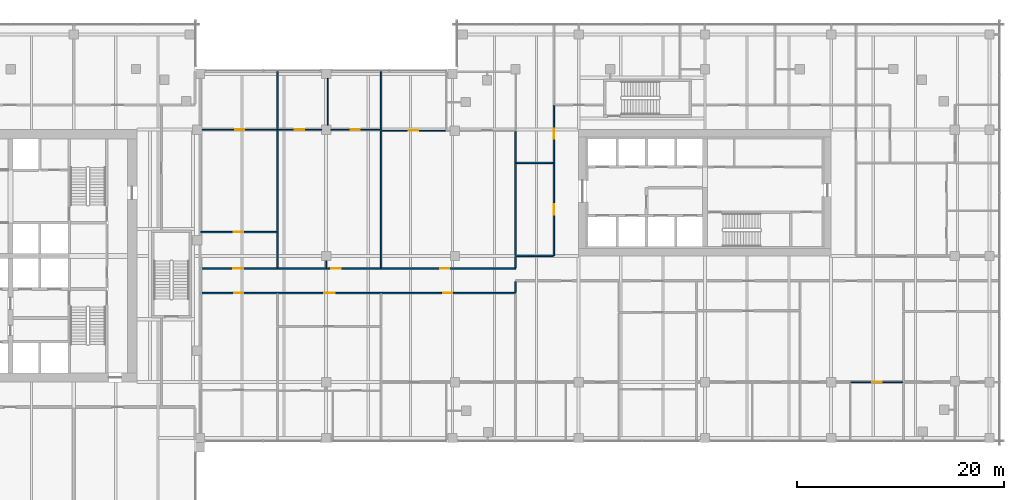
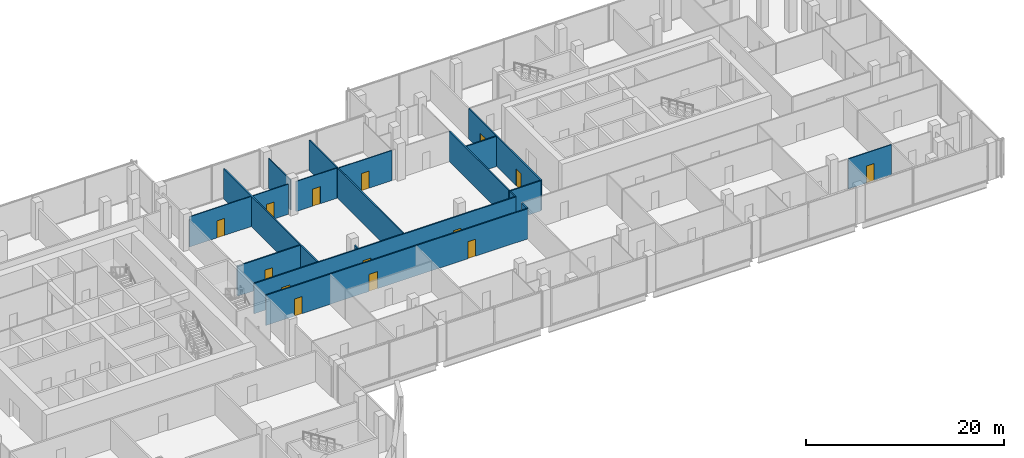
# One storey, part 26 of 33: 19 walls, 14 doors, 14 openings.
"""IFC4 building model written with IfcOpenShell, lengths in metres."""

from ifc_helpers import new_model, si_unit, direction, frame, frame_2d, origin, place, context, subcontext, project, spatial, rectangle, extrude, source, transform, mapped, material, layer, layer_set, type_object, element, fill, save


model = new_model("IFC4")

# Units and contexts
model_context = context("Model", 3, precision=1e-05, world=origin(), true_north=direction((0.0, 1.0)))
body_context = subcontext(model_context, "Body", "Model", "MODEL_VIEW")
ifc_project = project(units=[si_unit("LENGTHUNIT", "METRE"), si_unit("AREAUNIT", "SQUARE_METRE"), si_unit("VOLUMEUNIT", "CUBIC_METRE"), si_unit("PLANEANGLEUNIT", "RADIAN"), si_unit("MASSUNIT", "GRAM", prefix="KILO")], contexts=[model_context])

# Site, building, storey
site_placement = place(None, origin())
site = spatial("IfcSite", under=ifc_project, at=site_placement, CompositionType="ELEMENT")
building_placement = place(site_placement, origin())
building = spatial("IfcBuilding", under=site, at=building_placement, Name="Tessera Gate Towers", CompositionType="ELEMENT")
storey_placement = place(building_placement, frame((0.0, 0.0, 7.199951171875)))
storey = spatial("IfcBuildingStorey", under=building, at=storey_placement, Name="L01", CompositionType="ELEMENT", Elevation=7.199951171875)

# Wall, openings, doors
ifc_material_1 = material(Name="Gypsum board on steel studs, mineral wool", Category="steel")
ifc_layer_1 = layer(ifc_material_1, 0.14990234375)
ifc_layer_set_1 = layer_set([ifc_layer_1], Name="CORRIDOR WALL 150")
wall_type_1 = type_object("IfcWallType", Name="CORRIDOR WALL 150", PredefinedType="PARTITIONING", material=ifc_layer_set_1)
wall_1_placement = place(storey_placement, frame((91.5, 33.0, 0.0), z_axis=(0.0, 0.0, 1.0), x_axis=(-1.0, 0.0, 0.0)))
wall_1 = element("IfcWall", 1, at=wall_1_placement, inside=storey, type_object=wall_type_1, Name="PODIUM-L01-PW-063", PredefinedType="PARTITIONING", context=body_context, shape_type="SweptSolid", body=[
    extrude(rectangle(XDim=30.5, YDim=0.14990234375, at=frame_2d((15.25, 0.0))), origin(), (0.0, 0.0, 1.0), 3.715087890625),
])
shared_shape_1 = source(origin(), body_context, "Body", "SweptSolid", [
    extrude(rectangle(XDim=0.89990234375, YDim=2.10009765625, at=frame_2d((0.449951171875, 1.050048828125))), frame((0.0, 0.0849609375, 0.0), z_axis=(0.0, -1.0, 0.0), x_axis=(1.0, 0.0, 0.0)), (0.0, 0.0, 1.0), 0.169921875),
])
opening_1_placement = place(wall_1_placement, frame((26.300048828125, 0.0, 0.0)))
opening_1 = element("IfcOpeningElement", 2, at=opening_1_placement, cuts=wall_1, Name="Opening D890FD60-P02-02", PredefinedType="OPENING", context=body_context, shape_type="MappedRepresentation", body=[
    mapped(shared_shape_1, transform((0.0, 0.0, 0.0), scale=1.0)),
])
shared_shape_2 = source(origin(), body_context, "Body", "SweptSolid", [
    extrude(rectangle(XDim=1.0, YDim=2.10009765625, at=frame_2d((0.5, 1.050048828125))), frame((0.0, 0.0849609375, 0.0), z_axis=(0.0, -1.0, 0.0), x_axis=(1.0, 0.0, 0.0)), (0.0, 0.0, 1.0), 0.169921875),
])
opening_2_placement = place(wall_1_placement, frame((17.5, 0.0, 0.0)))
opening_2 = element("IfcOpeningElement", 3, at=opening_2_placement, cuts=wall_1, Name="Opening D2100FD60-P02-07", PredefinedType="OPENING", context=body_context, shape_type="MappedRepresentation", body=[
    mapped(shared_shape_2, transform((0.0, 0.0, 0.0), scale=1.0)),
])
opening_3_placement = place(wall_1_placement, frame((6.10009765625, 0.0, 0.0)))
opening_3 = element("IfcOpeningElement", 4, at=opening_3_placement, cuts=wall_1, Name="Opening D890FD60-P02-09", PredefinedType="OPENING", context=body_context, shape_type="MappedRepresentation", body=[
    mapped(shared_shape_1, transform((0.0, 0.0, 0.0), scale=1.0)),
])
ifc_material_2 = material(Name="Timber door leaf in steel frame", Category="steel")
door_type_1 = type_object("IfcDoorType", Name="CORRIDOR DOOR 900 FD60", OperationType="NOTDEFINED", PredefinedType="DOOR", material=ifc_material_2)
shared_shape_3 = source(origin(), body_context, "Body", "SweptSolid", [
    extrude(rectangle(XDim=0.89990234375, YDim=2.10009765625, at=frame_2d((0.449951171875, 1.050048828125))), frame((0.0, 0.02490234375, 0.0), z_axis=(0.0, -1.0, 0.0), x_axis=(1.0, 0.0, 0.0)), (0.0, 0.0, 1.0), 0.050048828125),
])
door_1_placement = place(opening_1_placement, origin())
door_1 = element("IfcDoor", 5, at=door_1_placement, inside=storey, type_object=door_type_1, Name="PODIUM-L01-PD-029", OperationType="SINGLE_SWING_RIGHT", OverallHeight=2.10009765625, OverallWidth=0.89990234375, PredefinedType="DOOR", context=body_context, shape_type="MappedRepresentation", body=[
    mapped(shared_shape_3, transform((0.0, 0.0, 0.0), scale=1.0)),
])
fill(opening_1, door_1)
door_2_placement = place(opening_3_placement, origin())
door_2 = element("IfcDoor", 6, at=door_2_placement, inside=storey, type_object=door_type_1, Name="PODIUM-L01-PD-055", OperationType="SINGLE_SWING_RIGHT", OverallHeight=2.10009765625, OverallWidth=0.89990234375, PredefinedType="DOOR", context=body_context, shape_type="MappedRepresentation", body=[
    mapped(shared_shape_3, transform((0.0, 0.0, 0.0), scale=1.0)),
])
fill(opening_3, door_2)
ifc_material_3 = material(Name="Timber door leaf in steel frame", Category="steel")
door_type_2 = type_object("IfcDoorType", Name="TENANCY ENTRANCE DOOR 1000 FD60", OperationType="NOTDEFINED", PredefinedType="DOOR", material=ifc_material_3)
shared_shape_4 = source(origin(), body_context, "Body", "SweptSolid", [
    extrude(rectangle(XDim=1.0, YDim=2.10009765625, at=frame_2d((0.5, 1.050048828125))), frame((0.0, 0.02490234375, 0.0), z_axis=(0.0, -1.0, 0.0), x_axis=(1.0, 0.0, 0.0)), (0.0, 0.0, 1.0), 0.050048828125),
])
door_3_placement = place(opening_2_placement, origin())
door_3 = element("IfcDoor", 7, at=door_3_placement, inside=storey, type_object=door_type_2, Name="PODIUM-L01-PD-041", OperationType="SINGLE_SWING_RIGHT", OverallHeight=2.10009765625, OverallWidth=1.0, PredefinedType="DOOR", context=body_context, shape_type="MappedRepresentation", body=[
    mapped(shared_shape_4, transform((0.0, 0.0, 0.0), scale=1.0)),
])
fill(opening_2, door_3)

# Wall
wall_2_placement = place(storey_placement, frame((91.5, 33.075927734375, 0.0), z_axis=(0.0, 0.0, 1.0), x_axis=(0.0, 1.0, 0.0)))
element("IfcWall", 8, at=wall_2_placement, inside=storey, type_object=wall_type_1, Name="PODIUM-L01-PW-065", PredefinedType="PARTITIONING", context=body_context, shape_type="SweptSolid", body=[
    extrude(rectangle(XDim=1.048095703125, YDim=0.14990234375, at=frame_2d((0.52392578125, 0.0))), origin(), (0.0, 0.0, 1.0), 3.715087890625),
])

# Wall, openings, doors
wall_3_placement = place(storey_placement, frame((61.0, 35.39990234375, 0.0), z_axis=(0.0, 0.0, 1.0), x_axis=(1.0, 0.0, 0.0)))
wall_3 = element("IfcWall", 9, at=wall_3_placement, inside=storey, type_object=wall_type_1, Name="PODIUM-L01-PW-067", PredefinedType="PARTITIONING", context=body_context, shape_type="SweptSolid", body=[
    extrude(rectangle(XDim=30.5, YDim=0.14990234375, at=frame_2d((15.25, 0.0))), origin(), (0.0, 0.0, 1.0), 3.715087890625),
])
opening_4_placement = place(wall_3_placement, frame((3.199951171875, 0.0, 0.0)))
opening_4 = element("IfcOpeningElement", 10, at=opening_4_placement, cuts=wall_3, Name="Opening D2100FD60-P02-05", PredefinedType="OPENING", context=body_context, shape_type="MappedRepresentation", body=[
    mapped(shared_shape_2, transform((0.0, 0.0, 0.0), scale=1.0)),
])
opening_5_placement = place(wall_3_placement, frame((12.699951171875, 0.0, 0.0)))
opening_5 = element("IfcOpeningElement", 11, at=opening_5_placement, cuts=wall_3, Name="Opening D890FD60-P02-06", PredefinedType="OPENING", context=body_context, shape_type="MappedRepresentation", body=[
    mapped(shared_shape_1, transform((0.0, 0.0, 0.0), scale=1.0)),
])
opening_6_placement = place(wall_3_placement, frame((23.199951171875, 0.0, 0.0)))
opening_6 = element("IfcOpeningElement", 12, at=opening_6_placement, cuts=wall_3, Name="Opening D890FD60-P02-10", PredefinedType="OPENING", context=body_context, shape_type="MappedRepresentation", body=[
    mapped(shared_shape_1, transform((0.0, 0.0, 0.0), scale=1.0)),
])
door_4_placement = place(opening_5_placement, origin())
door_4 = element("IfcDoor", 13, at=door_4_placement, inside=storey, type_object=door_type_1, Name="PODIUM-L01-PD-042", OperationType="SINGLE_SWING_LEFT", OverallHeight=2.10009765625, OverallWidth=0.89990234375, PredefinedType="DOOR", context=body_context, shape_type="MappedRepresentation", body=[
    mapped(shared_shape_3, transform((0.0, 0.0, 0.0), scale=1.0)),
])
fill(opening_5, door_4)
door_5_placement = place(opening_6_placement, origin())
door_5 = element("IfcDoor", 14, at=door_5_placement, inside=storey, type_object=door_type_1, Name="PODIUM-L01-PD-056", OperationType="SINGLE_SWING_LEFT", OverallHeight=2.10009765625, OverallWidth=0.89990234375, PredefinedType="DOOR", context=body_context, shape_type="MappedRepresentation", body=[
    mapped(shared_shape_3, transform((0.0, 0.0, 0.0), scale=1.0)),
])
fill(opening_6, door_5)
door_6_placement = place(opening_4_placement, origin())
door_6 = element("IfcDoor", 15, at=door_6_placement, inside=storey, type_object=door_type_2, Name="PODIUM-L01-PD-030", OperationType="SINGLE_SWING_LEFT", OverallHeight=2.10009765625, OverallWidth=1.0, PredefinedType="DOOR", context=body_context, shape_type="MappedRepresentation", body=[
    mapped(shared_shape_4, transform((0.0, 0.0, 0.0), scale=1.0)),
])
fill(opening_4, door_6)

# Walls
wall_4_placement = place(storey_placement, frame((91.5, 35.47607421875, 0.0), z_axis=(0.0, 0.0, 1.0), x_axis=(0.0, 1.0, 0.0)))
element("IfcWall", 16, at=wall_4_placement, inside=storey, type_object=wall_type_1, Name="PODIUM-L01-PW-071", PredefinedType="PARTITIONING", context=body_context, shape_type="SweptSolid", body=[
    extrude(rectangle(XDim=1.0478515625, YDim=0.14990234375, at=frame_2d((0.52392578125, 0.0))), origin(), (0.0, 0.0, 1.0), 3.715087890625),
])
wall_5_placement = place(storey_placement, frame((91.5, 36.60009765625, 0.0), z_axis=(0.0, 0.0, 1.0), x_axis=(1.0, 0.0, 0.0)))
element("IfcWall", 17, at=wall_5_placement, inside=storey, type_object=wall_type_1, Name="PODIUM-L01-PW-073", PredefinedType="PARTITIONING", context=body_context, shape_type="SweptSolid", body=[
    extrude(rectangle(XDim=3.6240234375, YDim=0.14990234375, at=frame_2d((1.81201171875, 0.0))), origin(), (0.0, 0.0, 1.0), 3.715087890625),
])

# Wall, openings, doors
wall_6_placement = place(storey_placement, frame((95.199951171875, 36.60009765625, 0.0), z_axis=(0.0, 0.0, 1.0), x_axis=(0.0, 1.0, 0.0)))
wall_6 = element("IfcWall", 18, at=wall_6_placement, inside=storey, type_object=wall_type_1, Name="PODIUM-L01-PW-074", PredefinedType="PARTITIONING", context=body_context, shape_type="SweptSolid", body=[
    extrude(rectangle(XDim=14.599853515625, YDim=0.14990234375, at=frame_2d((7.2998046875, 0.0))), origin(), (0.0, 0.0, 1.0), 3.715087890625),
])
opening_7_placement = place(wall_6_placement, frame((11.301025390625, 0.0, 0.0)))
opening_7 = element("IfcOpeningElement", 19, at=opening_7_placement, cuts=wall_6, Name="Opening D2100FD60-P02-03", PredefinedType="OPENING", context=body_context, shape_type="MappedRepresentation", body=[
    mapped(shared_shape_2, transform((0.0, 0.0, 0.0), scale=1.0)),
])
opening_8_placement = place(wall_6_placement, frame((4.0, 0.0, 0.0)))
opening_8 = element("IfcOpeningElement", 20, at=opening_8_placement, cuts=wall_6, Name="Opening D2100FD60-P02-09", PredefinedType="OPENING", context=body_context, shape_type="MappedRepresentation", body=[
    mapped(shared_shape_2, transform((0.0, 0.0, 0.0), scale=1.0)),
])
door_7_placement = place(opening_7_placement, origin())
door_7 = element("IfcDoor", 21, at=door_7_placement, inside=storey, type_object=door_type_2, Name="PODIUM-L01-PD-019", OperationType="SINGLE_SWING_LEFT", OverallHeight=2.10009765625, OverallWidth=1.0, PredefinedType="DOOR", context=body_context, shape_type="MappedRepresentation", body=[
    mapped(shared_shape_4, transform((0.0, 0.0, 0.0), scale=1.0)),
])
fill(opening_7, door_7)
door_8_placement = place(opening_8_placement, origin())
door_8 = element("IfcDoor", 22, at=door_8_placement, inside=storey, type_object=door_type_2, Name="PODIUM-L01-PD-054", OperationType="SINGLE_SWING_LEFT", OverallHeight=2.10009765625, OverallWidth=1.0, PredefinedType="DOOR", context=body_context, shape_type="MappedRepresentation", body=[
    mapped(shared_shape_4, transform((0.0, 0.0, 0.0), scale=1.0)),
])
fill(opening_8, door_8)

# Wall, opening, door
ifc_material_4 = material(Name="Glass", Category="glass")
ifc_layer_2 = layer(ifc_material_4, 0.10009765625)
ifc_layer_set_2 = layer_set([ifc_layer_2], Name="GLAZED PARTITION 100")
wall_type_2 = type_object("IfcWallType", Name="GLAZED PARTITION 100", PredefinedType="PARTITIONING", material=ifc_layer_set_2)
wall_7_placement = place(storey_placement, frame((128.924072265625, 24.39990234375, 0.0), z_axis=(0.0, 0.0, 1.0), x_axis=(-1.0, 0.0, 0.0)))
wall_7 = element("IfcWall", 23, at=wall_7_placement, inside=storey, type_object=wall_type_2, Name="PODIUM-L01-PW-047", PredefinedType="PARTITIONING", context=body_context, shape_type="SweptSolid", body=[
    extrude(rectangle(XDim=5.042236328125, YDim=0.10009765625, at=frame_2d((2.52099609375, 0.0))), origin(), (0.0, 0.0, 1.0), 3.715087890625),
])
shared_shape_5 = source(origin(), body_context, "Body", "SweptSolid", [
    extrude(rectangle(XDim=0.89990234375, YDim=2.10009765625, at=frame_2d((0.449951171875, 1.050048828125))), frame((0.0, 0.06005859375, 0.0), z_axis=(0.0, -1.0, 0.0), x_axis=(1.0, 0.0, 0.0)), (0.0, 0.0, 1.0), 0.1201171875),
])
opening_9_placement = place(wall_7_placement, frame((2.0419921875, 0.0, 0.0)))
opening_9 = element("IfcOpeningElement", 24, at=opening_9_placement, cuts=wall_7, Name="Opening D690-P02-06", PredefinedType="OPENING", context=body_context, shape_type="MappedRepresentation", body=[
    mapped(shared_shape_5, transform((0.0, 0.0, 0.0), scale=1.0)),
])
ifc_material_5 = material(Name="Glass in aluminium frame", Category="aluminium")
door_type_3 = type_object("IfcDoorType", Name="GLAZED DOOR 900 NOT RATED", OperationType="NOTDEFINED", PredefinedType="DOOR", material=ifc_material_5)
door_9_placement = place(opening_9_placement, origin())
door_9 = element("IfcDoor", 25, at=door_9_placement, inside=storey, type_object=door_type_3, Name="PODIUM-L01-PD-016", OperationType="SINGLE_SWING_RIGHT", OverallHeight=2.10009765625, OverallWidth=0.89990234375, PredefinedType="DOOR", context=body_context, shape_type="MappedRepresentation", body=[
    mapped(shared_shape_3, transform((0.0, 0.0, 0.0), scale=1.0)),
])
fill(opening_9, door_9)

wall_8_placement = place(storey_placement, frame((78.575927734375, 48.7099609375, 0.0), z_axis=(0.0, 0.0, 1.0), x_axis=(1.0, 0.0, 0.0)))
wall_8 = element("IfcWall", 26, at=wall_8_placement, inside=storey, type_object=wall_type_2, Name="PODIUM-L01-PW-096", PredefinedType="PARTITIONING", context=body_context, shape_type="SweptSolid", body=[
    extrude(rectangle(XDim=6.1533203125, YDim=0.10009765625, at=frame_2d((3.07666015625, 0.0))), origin(), (0.0, 0.0, 1.0), 3.715087890625),
])
opening_10_placement = place(wall_8_placement, frame((2.60009765625, 0.0, 0.0)))
opening_10 = element("IfcOpeningElement", 27, at=opening_10_placement, cuts=wall_8, Name="Opening D690-P02-08", PredefinedType="OPENING", context=body_context, shape_type="MappedRepresentation", body=[
    mapped(shared_shape_5, transform((0.0, 0.0, 0.0), scale=1.0)),
])
door_10_placement = place(opening_10_placement, origin())
door_10 = element("IfcDoor", 28, at=door_10_placement, inside=storey, type_object=door_type_3, Name="PODIUM-L01-PD-022", OperationType="SINGLE_SWING_LEFT", OverallHeight=2.10009765625, OverallWidth=0.89990234375, PredefinedType="DOOR", context=body_context, shape_type="MappedRepresentation", body=[
    mapped(shared_shape_3, transform((0.0, 0.0, 0.0), scale=1.0)),
])
fill(opening_10, door_10)

wall_9_placement = place(storey_placement, frame((68.575927734375, 48.800048828125, 0.0), z_axis=(0.0, 0.0, 1.0), x_axis=(1.0, 0.0, 0.0)))
wall_9 = element("IfcWall", 29, at=wall_9_placement, inside=storey, type_object=wall_type_2, Name="PODIUM-L01-PW-102", PredefinedType="PARTITIONING", context=body_context, shape_type="SweptSolid", body=[
    extrude(rectangle(XDim=4.173095703125, YDim=0.10009765625, at=frame_2d((2.08642578125, 0.0))), origin(), (0.0, 0.0, 1.0), 3.715087890625),
])
opening_11_placement = place(wall_9_placement, frame((1.60009765625, 0.0, 0.0)))
opening_11 = element("IfcOpeningElement", 30, at=opening_11_placement, cuts=wall_9, Name="Opening D690-P02-02", PredefinedType="OPENING", context=body_context, shape_type="MappedRepresentation", body=[
    mapped(shared_shape_5, transform((0.0, 0.0, 0.0), scale=1.0)),
])
door_11_placement = place(opening_11_placement, origin())
door_11 = element("IfcDoor", 31, at=door_11_placement, inside=storey, type_object=door_type_3, Name="PODIUM-L01-PD-006", OperationType="SINGLE_SWING_LEFT", OverallHeight=2.10009765625, OverallWidth=0.89990234375, PredefinedType="DOOR", context=body_context, shape_type="MappedRepresentation", body=[
    mapped(shared_shape_3, transform((0.0, 0.0, 0.0), scale=1.0)),
])
fill(opening_11, door_11)

wall_10_placement = place(storey_placement, frame((73.65087890625, 48.800048828125, 0.0), z_axis=(0.0, 0.0, 1.0), x_axis=(1.0, 0.0, 0.0)))
wall_10 = element("IfcWall", 32, at=wall_10_placement, inside=storey, type_object=wall_type_2, Name="PODIUM-L01-PW-103", PredefinedType="PARTITIONING", context=body_context, shape_type="SweptSolid", body=[
    extrude(rectangle(XDim=4.773193359375, YDim=0.10009765625, at=frame_2d((2.38671875, 0.0))), origin(), (0.0, 0.0, 1.0), 3.715087890625),
])
opening_12_placement = place(wall_10_placement, frame((1.89990234375, 0.0, 0.0)))
opening_12 = element("IfcOpeningElement", 33, at=opening_12_placement, cuts=wall_10, Name="Opening D690-P02-05", PredefinedType="OPENING", context=body_context, shape_type="MappedRepresentation", body=[
    mapped(shared_shape_5, transform((0.0, 0.0, 0.0), scale=1.0)),
])
door_12_placement = place(opening_12_placement, origin())
door_12 = element("IfcDoor", 34, at=door_12_placement, inside=storey, type_object=door_type_3, Name="PODIUM-L01-PD-015", OperationType="SINGLE_SWING_LEFT", OverallHeight=2.10009765625, OverallWidth=0.89990234375, PredefinedType="DOOR", context=body_context, shape_type="MappedRepresentation", body=[
    mapped(shared_shape_3, transform((0.0, 0.0, 0.0), scale=1.0)),
])
fill(opening_12, door_12)

# Wall
ifc_material_6 = material(Name="Gypsum board on steel studs", Category="steel")
ifc_layer_3 = layer(ifc_material_6, 0.10009765625)
ifc_layer_set_3 = layer_set([ifc_layer_3], Name="PARTITION 100")
wall_type_3 = type_object("IfcWallType", Name="PARTITION 100", PredefinedType="PARTITIONING", material=ifc_layer_set_3)
wall_11_placement = place(storey_placement, frame((73.199951171875, 36.14990234375, 0.0), z_axis=(0.0, 0.0, 1.0), x_axis=(0.0, -1.0, 0.0)))
element("IfcWall", 35, at=wall_11_placement, inside=storey, type_object=wall_type_3, Name="PODIUM-L01-PW-072", PredefinedType="PARTITIONING", context=body_context, shape_type="SweptSolid", body=[
    extrude(rectangle(XDim=0.6748046875, YDim=0.10009765625, at=frame_2d((0.33740234375, 0.0))), origin(), (0.0, 0.0, 1.0), 3.715087890625),
])

# Wall, opening, door
wall_12_placement = place(storey_placement, frame((61.200927734375, 48.800048828125, 0.0), z_axis=(0.0, 0.0, 1.0), x_axis=(1.0, 0.0, 0.0)))
wall_12 = element("IfcWall", 36, at=wall_12_placement, inside=storey, type_object=wall_type_3, Name="PODIUM-L01-PW-101", PredefinedType="PARTITIONING", context=body_context, shape_type="SweptSolid", body=[
    extrude(rectangle(XDim=7.22314453125, YDim=0.10009765625, at=frame_2d((3.611572265625, 0.0))), origin(), (0.0, 0.0, 1.0), 3.715087890625),
])
opening_13_placement = place(wall_12_placement, frame((3.199951171875, 0.0, 0.0)))
opening_13 = element("IfcOpeningElement", 37, at=opening_13_placement, cuts=wall_12, Name="Opening D190-P02-11", PredefinedType="OPENING", context=body_context, shape_type="MappedRepresentation", body=[
    mapped(shared_shape_5, transform((0.0, 0.0, 0.0), scale=1.0)),
])
ifc_material_7 = material(Name="Timber door leaf in steel frame", Category="steel")
door_type_4 = type_object("IfcDoorType", Name="INTERNAL DOOR 900 NOT RATED", OperationType="NOTDEFINED", PredefinedType="DOOR", material=ifc_material_7)
door_13_placement = place(opening_13_placement, origin())
door_13 = element("IfcDoor", 38, at=door_13_placement, inside=storey, type_object=door_type_4, Name="PODIUM-L01-PD-024", OperationType="SINGLE_SWING_LEFT", OverallHeight=2.10009765625, OverallWidth=0.89990234375, PredefinedType="DOOR", context=body_context, shape_type="MappedRepresentation", body=[
    mapped(shared_shape_3, transform((0.0, 0.0, 0.0), scale=1.0)),
])
fill(opening_13, door_13)

# Walls
wall_13_placement = place(storey_placement, frame((73.3310546875, 49.2509765625, 0.0), z_axis=(0.0, 0.0, 1.0), x_axis=(0.0, 1.0, 0.0)))
element("IfcWall", 39, at=wall_13_placement, inside=storey, type_object=wall_type_3, Name="PODIUM-L01-PW-107", PredefinedType="PARTITIONING", context=body_context, shape_type="SweptSolid", body=[
    extrude(rectangle(XDim=4.498046875, YDim=0.10009765625, at=frame_2d((2.2490234375, 0.0))), origin(), (0.0, 0.0, 1.0), 3.715087890625),
])
ifc_material_8 = material(Name="Gypsum board on steel studs, mineral wool", Category="steel")
ifc_layer_4 = layer(ifc_material_8, 0.14990234375)
ifc_layer_set_4 = layer_set([ifc_layer_4], Name="TENANCY WALL 150")
wall_type_4 = type_object("IfcWallType", Name="TENANCY WALL 150", PredefinedType="PARTITIONING", material=ifc_layer_set_4)
wall_14_placement = place(storey_placement, frame((68.5, 35.47607421875, 0.0), z_axis=(0.0, 0.0, 1.0), x_axis=(0.0, 1.0, 0.0)))
element("IfcWall", 40, at=wall_14_placement, inside=storey, type_object=wall_type_4, Name="PODIUM-L01-PW-069", PredefinedType="PARTITIONING", context=body_context, shape_type="SweptSolid", body=[
    extrude(rectangle(XDim=18.923828125, YDim=0.14990234375, at=frame_2d((9.4619140625, 0.0))), origin(), (0.0, 0.0, 1.0), 3.715087890625),
])
wall_15_placement = place(storey_placement, frame((78.5, 35.47607421875, 0.0), z_axis=(0.0, 0.0, 1.0), x_axis=(0.0, 1.0, 0.0)))
element("IfcWall", 41, at=wall_15_placement, inside=storey, type_object=wall_type_4, Name="PODIUM-L01-PW-070", PredefinedType="PARTITIONING", context=body_context, shape_type="SweptSolid", body=[
    extrude(rectangle(XDim=13.23388671875, YDim=0.14990234375, at=frame_2d((6.616943359375, 0.0))), origin(), (0.0, 0.0, 1.0), 3.715087890625),
])
wall_16_placement = place(storey_placement, frame((91.5, 36.676025390625, 0.0), z_axis=(0.0, 0.0, 1.0), x_axis=(0.0, 1.0, 0.0)))
element("IfcWall", 42, at=wall_16_placement, inside=storey, type_object=wall_type_4, Name="PODIUM-L01-PW-079", PredefinedType="PARTITIONING", context=body_context, shape_type="SweptSolid", body=[
    extrude(rectangle(XDim=12.033935546875, YDim=0.14990234375, at=frame_2d((6.01708984375, 0.0))), origin(), (0.0, 0.0, 1.0), 3.715087890625),
])

# Wall, opening, door
wall_17_placement = place(storey_placement, frame((61.075927734375, 38.89990234375, 0.0), z_axis=(0.0, 0.0, 1.0), x_axis=(1.0, 0.0, 0.0)))
wall_17 = element("IfcWall", 43, at=wall_17_placement, inside=storey, type_object=wall_type_4, Name="PODIUM-L01-PW-083", PredefinedType="PARTITIONING", context=body_context, shape_type="SweptSolid", body=[
    extrude(rectangle(XDim=7.34814453125, YDim=0.14990234375, at=frame_2d((3.674072265625, 0.0))), origin(), (0.0, 0.0, 1.0), 3.715087890625),
])
opening_14_placement = place(wall_17_placement, frame((3.199951171875, 0.0, 0.0)))
opening_14 = element("IfcOpeningElement", 44, at=opening_14_placement, cuts=wall_17, Name="Opening D190-P02-13", PredefinedType="OPENING", context=body_context, shape_type="MappedRepresentation", body=[
    mapped(shared_shape_1, transform((0.0, 0.0, 0.0), scale=1.0)),
])
door_14_placement = place(opening_14_placement, origin())
door_14 = element("IfcDoor", 45, at=door_14_placement, inside=storey, type_object=door_type_4, Name="PODIUM-L01-PD-027", OperationType="SINGLE_SWING_LEFT", OverallHeight=2.10009765625, OverallWidth=0.89990234375, PredefinedType="DOOR", context=body_context, shape_type="MappedRepresentation", body=[
    mapped(shared_shape_3, transform((0.0, 0.0, 0.0), scale=1.0)),
])
fill(opening_14, door_14)

# Walls
wall_18_placement = place(storey_placement, frame((91.575927734375, 45.60009765625, 0.0), z_axis=(0.0, 0.0, 1.0), x_axis=(1.0, 0.0, 0.0)))
element("IfcWall", 46, at=wall_18_placement, inside=storey, type_object=wall_type_4, Name="PODIUM-L01-PW-088", PredefinedType="PARTITIONING", context=body_context, shape_type="SweptSolid", body=[
    extrude(rectangle(XDim=3.548095703125, YDim=0.14990234375, at=frame_2d((1.77392578125, 0.0))), origin(), (0.0, 0.0, 1.0), 3.715087890625),
])
wall_19_placement = place(storey_placement, frame((78.5, 48.800048828125, 0.0), z_axis=(0.0, 0.0, 1.0), x_axis=(0.0, 1.0, 0.0)))
element("IfcWall", 47, at=wall_19_placement, inside=storey, type_object=wall_type_4, Name="PODIUM-L01-PW-104", PredefinedType="PARTITIONING", context=body_context, shape_type="SweptSolid", body=[
    extrude(rectangle(XDim=5.599853515625, YDim=0.14990234375, at=frame_2d((2.7998046875, 0.0))), origin(), (0.0, 0.0, 1.0), 3.715087890625),
])

save(model, "model.ifc")
